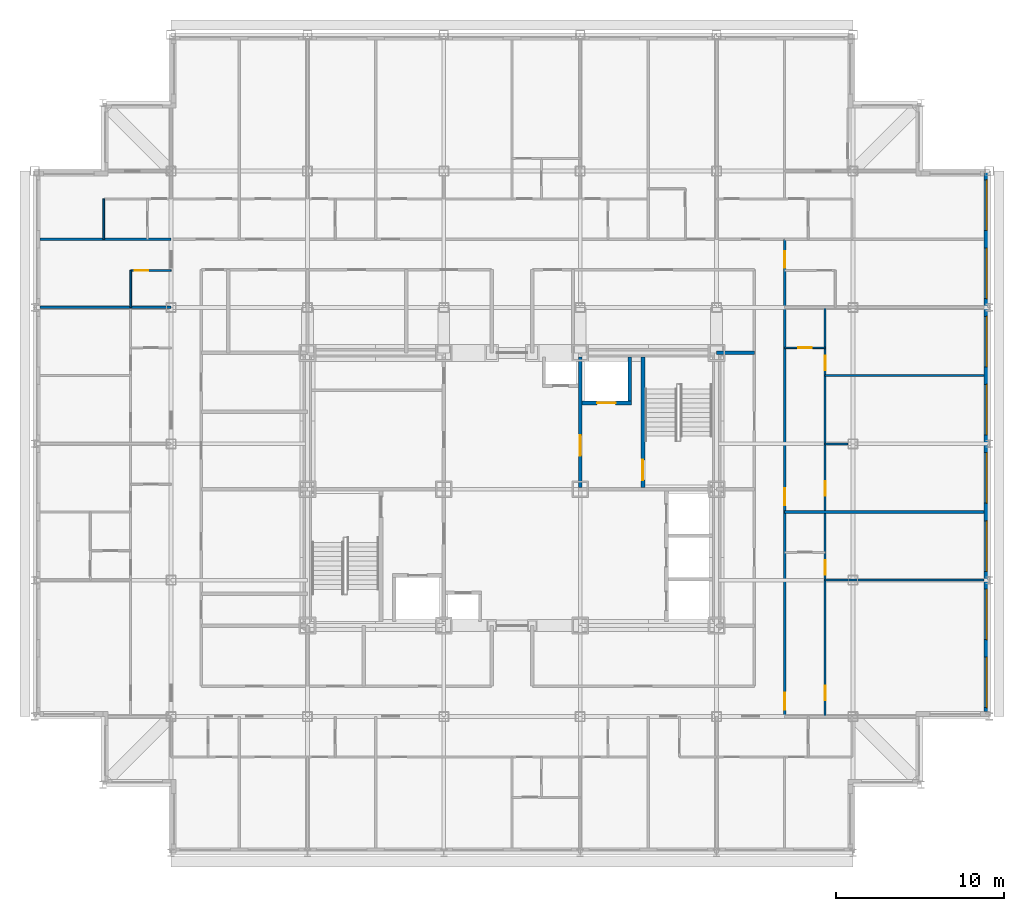
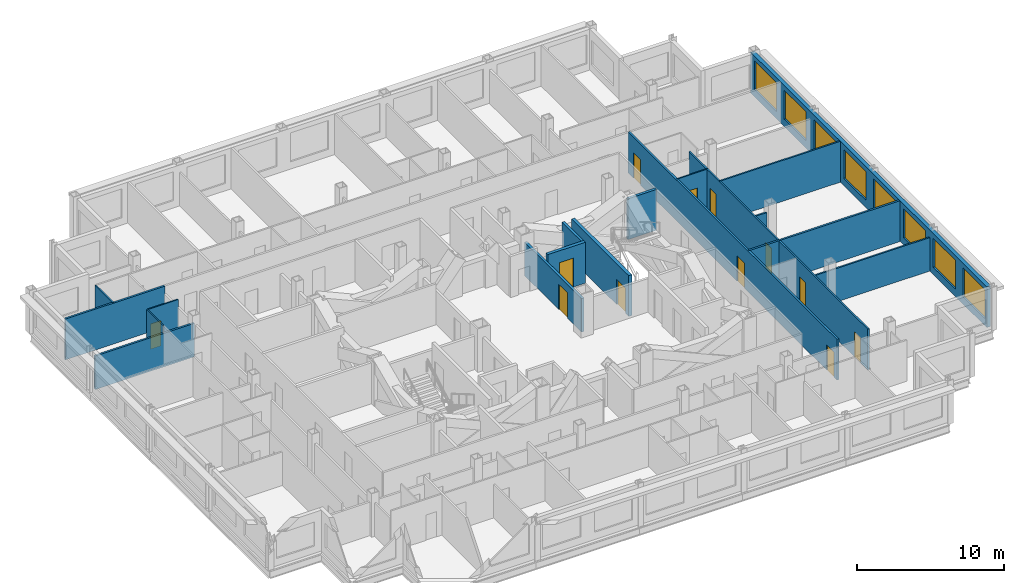
# One storey, part 8 of 12: 18 walls, 12 doors, 8 windows, 20 openings.
"""IFC4 building model written with IfcOpenShell, lengths in metres."""

from ifc_helpers import new_model, si_unit, direction, frame, frame_2d, origin, place, context, subcontext, project, spatial, rectangle, extrude, material, layer, layer_set, type_object, element, fill, save


model = new_model("IFC4")

# Units and contexts
model_context = context("Model", 3, precision=1e-05, world=origin(), true_north=direction((0.0, 1.0)))
body_context = subcontext(model_context, "Body", "Model", "MODEL_VIEW")
ifc_project = project(units=[si_unit("LENGTHUNIT", "METRE"), si_unit("AREAUNIT", "SQUARE_METRE"), si_unit("VOLUMEUNIT", "CUBIC_METRE"), si_unit("PLANEANGLEUNIT", "RADIAN"), si_unit("MASSUNIT", "GRAM", prefix="KILO")], contexts=[model_context])

# Site, building, storey
site_placement = place(None, origin())
site = spatial("IfcSite", under=ifc_project, at=site_placement, CompositionType="ELEMENT")
building_placement = place(site_placement, origin())
building = spatial("IfcBuilding", under=site, at=building_placement, Name="Kopane Lantern Tower", CompositionType="ELEMENT")
storey_placement = place(building_placement, frame((0.0, 0.0, 210.0)))
storey = spatial("IfcBuildingStorey", under=building, at=storey_placement, Name="L54", CompositionType="ELEMENT", Elevation=210.0)

# Wall, openings, doors
ifc_material_1 = material(Name="Gypsum board on steel studs", Category="steel")
ifc_layer_1 = layer(ifc_material_1, 0.1201171875)
ifc_layer_set_1 = layer_set([ifc_layer_1], Name="APARTMENT INTERNAL WALL 120")
wall_type_1 = type_object("IfcWallType", Name="APARTMENT INTERNAL WALL 120", PredefinedType="PARTITIONING", material=ifc_layer_set_1)
wall_1_placement = place(storey_placement, frame((46.949951171875, 18.89990234375, 0.0), z_axis=(0.0, 0.0, 1.0), x_axis=(0.0, 1.0, 0.0)))
wall_1 = element("IfcWall", 1, at=wall_1_placement, inside=storey, type_object=wall_type_1, Name="Apartment Internal Wall 120 L54", PredefinedType="PARTITIONING", context=body_context, shape_type="SweptSolid", body=[
    extrude(rectangle(XDim=24.300048828125, YDim=0.1201171875, at=frame_2d((12.14990234375, 0.0))), origin(), (0.0, 0.0, 1.0), 3.389892578125),
])
opening_1_placement = place(wall_1_placement, frame((0.97509765625, 0.0, 0.0)))
opening_1 = element("IfcOpeningElement", 2, at=opening_1_placement, cuts=wall_1, Name="Opening L54-055", PredefinedType="OPENING", context=body_context, shape_type="SweptSolid", body=[
    extrude(rectangle(XDim=0.85009765625, YDim=2.10009765625, at=frame_2d((0.425048828125, 1.050048828125))), frame((0.0, 0.070068359375, 0.0), z_axis=(0.0, -1.0, 0.0), x_axis=(1.0, 0.0, 0.0)), (0.0, 0.0, 1.0), 0.14013671875),
])
opening_2_placement = place(wall_1_placement, frame((8.425048828125, 0.0, 0.0)))
opening_2 = element("IfcOpeningElement", 3, at=opening_2_placement, cuts=wall_1, Name="Opening L54-056", PredefinedType="OPENING", context=body_context, shape_type="SweptSolid", body=[
    extrude(rectangle(XDim=0.85009765625, YDim=2.10009765625, at=frame_2d((0.425048828125, 1.050048828125))), frame((0.0, 0.070068359375, 0.0), z_axis=(0.0, -1.0, 0.0), x_axis=(1.0, 0.0, 0.0)), (0.0, 0.0, 1.0), 0.14013671875),
])
opening_3_placement = place(wall_1_placement, frame((13.125, 0.0, 0.0)))
opening_3 = element("IfcOpeningElement", 4, at=opening_3_placement, cuts=wall_1, Name="Opening L54-059", PredefinedType="OPENING", context=body_context, shape_type="SweptSolid", body=[
    extrude(rectangle(XDim=0.85009765625, YDim=2.10009765625, at=frame_2d((0.425048828125, 1.050048828125))), frame((0.0, 0.070068359375, 0.0), z_axis=(0.0, -1.0, 0.0), x_axis=(1.0, 0.0, 0.0)), (0.0, 0.0, 1.0), 0.14013671875),
])
opening_4_placement = place(wall_1_placement, frame((20.574951171875, 0.0, 0.0)))
opening_4 = element("IfcOpeningElement", 5, at=opening_4_placement, cuts=wall_1, Name="Opening L54-060", PredefinedType="OPENING", context=body_context, shape_type="SweptSolid", body=[
    extrude(rectangle(XDim=0.85009765625, YDim=2.10009765625, at=frame_2d((0.425048828125, 1.050048828125))), frame((0.0, 0.070068359375, 0.0), z_axis=(0.0, -1.0, 0.0), x_axis=(1.0, 0.0, 0.0)), (0.0, 0.0, 1.0), 0.14013671875),
])
ifc_material_2 = material(Name="Timber door set", Category="wood")
door_type_1 = type_object("IfcDoorType", Name="DOOR D4 850x2100", OperationType="SINGLE_SWING_LEFT", PredefinedType="DOOR", material=ifc_material_2)
door_1_placement = place(opening_1_placement, origin())
door_1 = element("IfcDoor", 6, at=door_1_placement, inside=storey, type_object=door_type_1, Name="Door L54-055", OperationType="SINGLE_SWING_LEFT", OverallHeight=2.10009765625, OverallWidth=0.85009765625, PredefinedType="DOOR", context=body_context, shape_type="SweptSolid", body=[
    extrude(rectangle(XDim=0.85009765625, YDim=2.10009765625, at=frame_2d((0.425048828125, 1.050048828125))), frame((0.0, 0.02490234375, 0.0), z_axis=(0.0, -1.0, 0.0), x_axis=(1.0, 0.0, 0.0)), (0.0, 0.0, 1.0), 0.050048828125),
])
fill(opening_1, door_1)
door_2_placement = place(opening_2_placement, origin())
door_2 = element("IfcDoor", 7, at=door_2_placement, inside=storey, type_object=door_type_1, Name="Door L54-056", OperationType="SINGLE_SWING_RIGHT", OverallHeight=2.10009765625, OverallWidth=0.85009765625, PredefinedType="DOOR", context=body_context, shape_type="SweptSolid", body=[
    extrude(rectangle(XDim=0.85009765625, YDim=2.10009765625, at=frame_2d((0.425048828125, 1.050048828125))), frame((0.0, 0.02490234375, 0.0), z_axis=(0.0, -1.0, 0.0), x_axis=(1.0, 0.0, 0.0)), (0.0, 0.0, 1.0), 0.050048828125),
])
fill(opening_2, door_2)
door_3_placement = place(opening_3_placement, origin())
door_3 = element("IfcDoor", 8, at=door_3_placement, inside=storey, type_object=door_type_1, Name="Door L54-059", OperationType="SINGLE_SWING_LEFT", OverallHeight=2.10009765625, OverallWidth=0.85009765625, PredefinedType="DOOR", context=body_context, shape_type="SweptSolid", body=[
    extrude(rectangle(XDim=0.85009765625, YDim=2.10009765625, at=frame_2d((0.425048828125, 1.050048828125))), frame((0.0, 0.02490234375, 0.0), z_axis=(0.0, -1.0, 0.0), x_axis=(1.0, 0.0, 0.0)), (0.0, 0.0, 1.0), 0.050048828125),
])
fill(opening_3, door_3)
door_4_placement = place(opening_4_placement, origin())
door_4 = element("IfcDoor", 9, at=door_4_placement, inside=storey, type_object=door_type_1, Name="Door L54-060", OperationType="SINGLE_SWING_RIGHT", OverallHeight=2.10009765625, OverallWidth=0.85009765625, PredefinedType="DOOR", context=body_context, shape_type="SweptSolid", body=[
    extrude(rectangle(XDim=0.85009765625, YDim=2.10009765625, at=frame_2d((0.425048828125, 1.050048828125))), frame((0.0, 0.02490234375, 0.0), z_axis=(0.0, -1.0, 0.0), x_axis=(1.0, 0.0, 0.0)), (0.0, 0.0, 1.0), 0.050048828125),
])
fill(opening_4, door_4)

# Walls
wall_2_placement = place(storey_placement, frame((46.949951171875, 27.0, 0.0), z_axis=(0.0, 0.0, 1.0), x_axis=(1.0, 0.0, 0.0)))
element("IfcWall", 10, at=wall_2_placement, inside=storey, type_object=wall_type_1, Name="Apartment Internal Wall 120 L54", PredefinedType="PARTITIONING", context=body_context, shape_type="SweptSolid", body=[
    extrude(rectangle(XDim=9.449951171875, YDim=0.1201171875, at=frame_2d((4.72509765625, 0.0))), origin(), (0.0, 0.0, 1.0), 2.77783203125),
])
wall_3_placement = place(storey_placement, frame((46.949951171875, 39.14990234375, 0.0), z_axis=(0.0, 0.0, 1.0), x_axis=(1.0, 0.0, 0.0)))
element("IfcWall", 11, at=wall_3_placement, inside=storey, type_object=wall_type_1, Name="Apartment Internal Wall 120 L54", PredefinedType="PARTITIONING", context=body_context, shape_type="SweptSolid", body=[
    extrude(rectangle(XDim=9.449951171875, YDim=0.1201171875, at=frame_2d((4.72509765625, 0.0))), origin(), (0.0, 0.0, 1.0), 3.389892578125),
])
wall_4_placement = place(storey_placement, frame((46.949951171875, 35.10009765625, 0.0), z_axis=(0.0, 0.0, 1.0), x_axis=(1.0, 0.0, 0.0)))
element("IfcWall", 12, at=wall_4_placement, inside=storey, type_object=wall_type_1, Name="Apartment Internal Wall 120 L54", PredefinedType="PARTITIONING", context=body_context, shape_type="SweptSolid", body=[
    extrude(rectangle(XDim=1.35009765625, YDim=0.1201171875, at=frame_2d((0.675048828125, 0.0))), origin(), (0.0, 0.0, 1.0), 2.77783203125),
])
ifc_material_3 = material(Name="Moisture-resistant board on steel studs", Category="steel")
ifc_layer_2 = layer(ifc_material_3, 0.10009765625)
ifc_layer_set_2 = layer_set([ifc_layer_2], Name="BATHROOM WALL 100")
wall_type_2 = type_object("IfcWallType", Name="BATHROOM WALL 100", PredefinedType="PARTITIONING", material=ifc_layer_set_2)
wall_5_placement = place(storey_placement, frame((5.699951171875, 43.199951171875, 0.0), z_axis=(0.0, 0.0, 1.0), x_axis=(0.0, 1.0, 0.0)))
element("IfcWall", 13, at=wall_5_placement, inside=storey, type_object=wall_type_2, Name="Bathroom Wall 100 L54", PredefinedType="PARTITIONING", context=body_context, shape_type="SweptSolid", body=[
    extrude(rectangle(XDim=2.199951171875, YDim=0.10009765625, at=frame_2d((1.10009765625, 0.0))), origin(), (0.0, 0.0, 1.0), 3.389892578125),
])

# Wall, opening, door
wall_6_placement = place(storey_placement, frame((8.10009765625, 45.39990234375, 0.0), z_axis=(0.0, 0.0, 1.0), x_axis=(-1.0, 0.0, 0.0)))
wall_6 = element("IfcWall", 14, at=wall_6_placement, inside=storey, type_object=wall_type_2, Name="Bathroom Wall 100 L54", PredefinedType="PARTITIONING", context=body_context, shape_type="SweptSolid", body=[
    extrude(rectangle(XDim=2.400146484375, YDim=0.10009765625, at=frame_2d((1.2001953125, 0.0))), origin(), (0.0, 0.0, 1.0), 3.389892578125),
])
opening_5_placement = place(wall_6_placement, frame((1.35009765625, 0.0, 0.0)))
opening_5 = element("IfcOpeningElement", 15, at=opening_5_placement, cuts=wall_6, Name="Opening L54-051", PredefinedType="OPENING", context=body_context, shape_type="SweptSolid", body=[
    extrude(rectangle(XDim=0.800048828125, YDim=2.10009765625, at=frame_2d((0.39990234375, 1.050048828125))), frame((0.0, 0.06005859375, 0.0), z_axis=(0.0, -1.0, 0.0), x_axis=(1.0, 0.0, 0.0)), (0.0, 0.0, 1.0), 0.1201171875),
])
ifc_material_4 = material(Name="Timber door set", Category="wood")
door_type_2 = type_object("IfcDoorType", Name="DOOR D2 800x2100", OperationType="SINGLE_SWING_LEFT", PredefinedType="DOOR", material=ifc_material_4)
door_5_placement = place(opening_5_placement, origin())
door_5 = element("IfcDoor", 16, at=door_5_placement, inside=storey, type_object=door_type_2, Name="Door L54-051", OperationType="SINGLE_SWING_RIGHT", OverallHeight=2.10009765625, OverallWidth=0.800048828125, PredefinedType="DOOR", context=body_context, shape_type="SweptSolid", body=[
    extrude(rectangle(XDim=0.800048828125, YDim=2.10009765625, at=frame_2d((0.39990234375, 1.050048828125))), frame((0.0, 0.02490234375, 0.0), z_axis=(0.0, -1.0, 0.0), x_axis=(1.0, 0.0, 0.0)), (0.0, 0.0, 1.0), 0.050048828125),
])
fill(opening_5, door_5)

wall_7_placement = place(storey_placement, frame((44.550048828125, 40.800048828125, 0.0), z_axis=(0.0, 0.0, 1.0), x_axis=(1.0, 0.0, 0.0)))
wall_7 = element("IfcWall", 17, at=wall_7_placement, inside=storey, type_object=wall_type_2, Name="Bathroom Wall 100 L54", PredefinedType="PARTITIONING", context=body_context, shape_type="SweptSolid", body=[
    extrude(rectangle(XDim=2.39990234375, YDim=0.10009765625, at=frame_2d((1.199951171875, 0.0))), origin(), (0.0, 0.0, 1.0), 3.389892578125),
])
opening_6_placement = place(wall_7_placement, frame((0.800048828125, 0.0, 0.0)))
opening_6 = element("IfcOpeningElement", 18, at=opening_6_placement, cuts=wall_7, Name="Opening L54-057", PredefinedType="OPENING", context=body_context, shape_type="SweptSolid", body=[
    extrude(rectangle(XDim=0.800048828125, YDim=2.10009765625, at=frame_2d((0.39990234375, 1.050048828125))), frame((0.0, 0.06005859375, 0.0), z_axis=(0.0, -1.0, 0.0), x_axis=(1.0, 0.0, 0.0)), (0.0, 0.0, 1.0), 0.1201171875),
])
door_6_placement = place(opening_6_placement, origin())
door_6 = element("IfcDoor", 19, at=door_6_placement, inside=storey, type_object=door_type_2, Name="Door L54-057", OperationType="SINGLE_SWING_LEFT", OverallHeight=2.10009765625, OverallWidth=0.800048828125, PredefinedType="DOOR", context=body_context, shape_type="SweptSolid", body=[
    extrude(rectangle(XDim=0.800048828125, YDim=2.10009765625, at=frame_2d((0.39990234375, 1.050048828125))), frame((0.0, 0.02490234375, 0.0), z_axis=(0.0, -1.0, 0.0), x_axis=(1.0, 0.0, 0.0)), (0.0, 0.0, 1.0), 0.050048828125),
])
fill(opening_6, door_6)

# Wall
wall_8_placement = place(storey_placement, frame((4.10009765625, 47.25, 0.0), z_axis=(0.0, 0.0, 1.0), x_axis=(0.0, 1.0, 0.0)))
element("IfcWall", 20, at=wall_8_placement, inside=storey, type_object=wall_type_2, Name="Bathroom Wall 100 L54", PredefinedType="PARTITIONING", context=body_context, shape_type="SweptSolid", body=[
    extrude(rectangle(XDim=2.39990234375, YDim=0.10009765625, at=frame_2d((1.199951171875, 0.0))), origin(), (0.0, 0.0, 1.0), 3.389892578125),
])

# Wall, opening, door
ifc_material_5 = material(Name="Gypsum shaft wall EI 120", Category="gypsum")
ifc_layer_3 = layer(ifc_material_5, 0.25)
ifc_layer_set_3 = layer_set([ifc_layer_3], Name="CORE SHAFT WALL 250 EI 120")
wall_type_3 = type_object("IfcWallType", Name="CORE SHAFT WALL 250 EI 120", PredefinedType="SOLIDWALL", material=ifc_layer_set_3)
wall_9_placement = place(storey_placement, frame((36.125, 32.5, 0.0), z_axis=(0.0, 0.0, 1.0), x_axis=(0.0, 1.0, 0.0)))
wall_9 = element("IfcWall", 21, at=wall_9_placement, inside=storey, type_object=wall_type_3, Name="Core shaft wall L54 XST2", PredefinedType="SOLIDWALL", context=body_context, shape_type="SweptSolid", body=[
    extrude(rectangle(XDim=7.75, YDim=0.25, at=frame_2d((3.875, 0.0))), origin(), (0.0, 0.0, 1.0), 3.389892578125),
])
opening_7_placement = place(wall_9_placement, frame((0.449951171875, 0.0, 0.0)))
opening_7 = element("IfcOpeningElement", 22, at=opening_7_placement, cuts=wall_9, Name="Opening 54.SD2", PredefinedType="OPENING", context=body_context, shape_type="SweptSolid", body=[
    extrude(rectangle(XDim=1.199951171875, YDim=2.10009765625, at=frame_2d((0.60009765625, 1.050048828125))), frame((0.0, 0.135009765625, 0.0), z_axis=(0.0, -1.0, 0.0), x_axis=(1.0, 0.0, 0.0)), (0.0, 0.0, 1.0), 0.27001953125),
])
ifc_material_6 = material(Name="Steel door set", Category="steel")
door_type_3 = type_object("IfcDoorType", Name="STAIR DOOR 1200x2100 FD60S", OperationType="SINGLE_SWING_LEFT", PredefinedType="DOOR", material=ifc_material_6)
door_7_placement = place(opening_7_placement, origin())
door_7 = element("IfcDoor", 23, at=door_7_placement, inside=storey, type_object=door_type_3, Name="Stair door ST2 L54", OperationType="SINGLE_SWING_RIGHT", OverallHeight=2.10009765625, OverallWidth=1.199951171875, PredefinedType="DOOR", context=body_context, shape_type="SweptSolid", body=[
    extrude(rectangle(XDim=1.199951171875, YDim=2.10009765625, at=frame_2d((0.60009765625, 1.050048828125))), frame((0.0, 0.02490234375, 0.0), z_axis=(0.0, -1.0, 0.0), x_axis=(1.0, 0.0, 0.0)), (0.0, 0.0, 1.0), 0.050048828125),
])
fill(opening_7, door_7)

wall_10_placement = place(storey_placement, frame((32.5, 37.52490234375, 0.0), z_axis=(0.0, 0.0, 1.0), x_axis=(1.0, 0.0, 0.0)))
wall_10 = element("IfcWall", 24, at=wall_10_placement, inside=storey, type_object=wall_type_3, Name="Core shaft wall L54 YLF2", PredefinedType="SOLIDWALL", context=body_context, shape_type="SweptSolid", body=[
    extrude(rectangle(XDim=2.949951171875, YDim=0.25, at=frame_2d((1.47509765625, 0.0))), origin(), (0.0, 0.0, 1.0), 3.389892578125),
])
opening_8_placement = place(wall_10_placement, frame((0.89990234375, 0.0, 0.0)))
opening_8 = element("IfcOpeningElement", 25, at=opening_8_placement, cuts=wall_10, Name="Opening 54.LD-LF2", PredefinedType="OPENING", context=body_context, shape_type="SweptSolid", body=[
    extrude(rectangle(XDim=1.10009765625, YDim=2.39990234375, at=frame_2d((0.550048828125, 1.199951171875))), frame((0.0, 0.135009765625, 0.0), z_axis=(0.0, -1.0, 0.0), x_axis=(1.0, 0.0, 0.0)), (0.0, 0.0, 1.0), 0.27001953125),
])
ifc_material_7 = material(Name="Steel door set", Category="steel")
door_type_4 = type_object("IfcDoorType", Name="LIFT LANDING DOOR 1100x2400 FD60", OperationType="DOUBLE_DOOR_SLIDING", PredefinedType="DOOR", material=ifc_material_7)
door_8_placement = place(opening_8_placement, origin())
door_8 = element("IfcDoor", 26, at=door_8_placement, inside=storey, type_object=door_type_4, Name="Landing door LF2 L54", OperationType="DOUBLE_DOOR_SLIDING", OverallHeight=2.39990234375, OverallWidth=1.10009765625, PredefinedType="DOOR", context=body_context, shape_type="SweptSolid", body=[
    extrude(rectangle(XDim=1.10009765625, YDim=2.39990234375, at=frame_2d((0.550048828125, 1.199951171875))), frame((0.0, 0.02490234375, 0.0), z_axis=(0.0, -1.0, 0.0), x_axis=(1.0, 0.0, 0.0)), (0.0, 0.0, 1.0), 0.050048828125),
])
fill(opening_8, door_8)

# Wall, openings, doors
ifc_material_8 = material(Name="Gypsum board on steel studs", Category="steel")
ifc_layer_4 = layer(ifc_material_8, 0.14990234375)
ifc_layer_set_4 = layer_set([ifc_layer_4], Name="CORRIDOR WALL 150 EI 60")
wall_type_4 = type_object("IfcWallType", Name="CORRIDOR WALL 150 EI 60", PredefinedType="PARTITIONING", material=ifc_layer_set_4)
wall_11_placement = place(storey_placement, frame((44.550048828125, 18.89990234375, 0.0), z_axis=(0.0, 0.0, 1.0), x_axis=(0.0, 1.0, 0.0)))
wall_11 = element("IfcWall", 27, at=wall_11_placement, inside=storey, type_object=wall_type_4, Name="Corridor Wall 150 Ei 60 L54", PredefinedType="PARTITIONING", context=body_context, shape_type="SweptSolid", body=[
    extrude(rectangle(XDim=28.35009765625, YDim=0.14990234375, at=frame_2d((14.175048828125, 0.0))), origin(), (0.0, 0.0, 1.0), 3.389892578125),
])
opening_9_placement = place(wall_11_placement, frame((0.39990234375, 0.0, 0.0)))
opening_9 = element("IfcOpeningElement", 28, at=opening_9_placement, cuts=wall_11, Name="Opening L54-054", PredefinedType="OPENING", context=body_context, shape_type="SweptSolid", body=[
    extrude(rectangle(XDim=1.0, YDim=2.10009765625, at=frame_2d((0.5, 1.050048828125))), frame((0.0, 0.0849609375, 0.0), z_axis=(0.0, -1.0, 0.0), x_axis=(1.0, 0.0, 0.0)), (0.0, 0.0, 1.0), 0.169921875),
])
opening_10_placement = place(wall_11_placement, frame((12.550048828125, 0.0, 0.0)))
opening_10 = element("IfcOpeningElement", 29, at=opening_10_placement, cuts=wall_11, Name="Opening L54-058", PredefinedType="OPENING", context=body_context, shape_type="SweptSolid", body=[
    extrude(rectangle(XDim=1.0, YDim=2.10009765625, at=frame_2d((0.5, 1.050048828125))), frame((0.0, 0.0849609375, 0.0), z_axis=(0.0, -1.0, 0.0), x_axis=(1.0, 0.0, 0.0)), (0.0, 0.0, 1.0), 0.169921875),
])
opening_11_placement = place(wall_11_placement, frame((26.64990234375, 0.0, 0.0)))
opening_11 = element("IfcOpeningElement", 30, at=opening_11_placement, cuts=wall_11, Name="Opening L54-062", PredefinedType="OPENING", context=body_context, shape_type="SweptSolid", body=[
    extrude(rectangle(XDim=1.0, YDim=2.10009765625, at=frame_2d((0.5, 1.050048828125))), frame((0.0, 0.0849609375, 0.0), z_axis=(0.0, -1.0, 0.0), x_axis=(1.0, 0.0, 0.0)), (0.0, 0.0, 1.0), 0.169921875),
])
ifc_material_9 = material(Name="Steel door set", Category="steel")
door_type_5 = type_object("IfcDoorType", Name="DOOR D3 1000x2100 FD30S", OperationType="SINGLE_SWING_LEFT", PredefinedType="DOOR", material=ifc_material_9)
door_9_placement = place(opening_9_placement, origin())
door_9 = element("IfcDoor", 31, at=door_9_placement, inside=storey, type_object=door_type_5, Name="Door L54-054", OperationType="SINGLE_SWING_RIGHT", OverallHeight=2.10009765625, OverallWidth=1.0, PredefinedType="DOOR", context=body_context, shape_type="SweptSolid", body=[
    extrude(rectangle(XDim=1.0, YDim=2.10009765625, at=frame_2d((0.5, 1.050048828125))), frame((0.0, 0.02490234375, 0.0), z_axis=(0.0, -1.0, 0.0), x_axis=(1.0, 0.0, 0.0)), (0.0, 0.0, 1.0), 0.050048828125),
])
fill(opening_9, door_9)
door_10_placement = place(opening_10_placement, origin())
door_10 = element("IfcDoor", 32, at=door_10_placement, inside=storey, type_object=door_type_5, Name="Door L54-058", OperationType="SINGLE_SWING_RIGHT", OverallHeight=2.10009765625, OverallWidth=1.0, PredefinedType="DOOR", context=body_context, shape_type="SweptSolid", body=[
    extrude(rectangle(XDim=1.0, YDim=2.10009765625, at=frame_2d((0.5, 1.050048828125))), frame((0.0, 0.02490234375, 0.0), z_axis=(0.0, -1.0, 0.0), x_axis=(1.0, 0.0, 0.0)), (0.0, 0.0, 1.0), 0.050048828125),
])
fill(opening_10, door_10)
door_11_placement = place(opening_11_placement, origin())
door_11 = element("IfcDoor", 33, at=door_11_placement, inside=storey, type_object=door_type_5, Name="Door L54-062", OperationType="SINGLE_SWING_RIGHT", OverallHeight=2.10009765625, OverallWidth=1.0, PredefinedType="DOOR", context=body_context, shape_type="SweptSolid", body=[
    extrude(rectangle(XDim=1.0, YDim=2.10009765625, at=frame_2d((0.5, 1.050048828125))), frame((0.0, 0.02490234375, 0.0), z_axis=(0.0, -1.0, 0.0), x_axis=(1.0, 0.0, 0.0)), (0.0, 0.0, 1.0), 0.050048828125),
])
fill(opening_11, door_11)

# Walls
ifc_material_10 = material(Name="Gypsum board on steel studs", Category="steel")
ifc_layer_5 = layer(ifc_material_10, 0.14990234375)
ifc_layer_set_5 = layer_set([ifc_layer_5], Name="DEMISING WALL 150 EI 60")
wall_type_5 = type_object("IfcWallType", Name="DEMISING WALL 150 EI 60", PredefinedType="PARTITIONING", material=ifc_layer_set_5)
wall_12_placement = place(storey_placement, frame((8.10009765625, 43.199951171875, 0.0), z_axis=(0.0, 0.0, 1.0), x_axis=(-1.0, 0.0, 0.0)))
element("IfcWall", 34, at=wall_12_placement, inside=storey, type_object=wall_type_5, Name="Demising Wall 150 Ei 60 L54", PredefinedType="PARTITIONING", context=body_context, shape_type="SweptSolid", body=[
    extrude(rectangle(XDim=7.800048828125, YDim=0.14990234375, at=frame_2d((3.89990234375, 0.0))), origin(), (0.0, 0.0, 1.0), 2.77783203125),
])
wall_13_placement = place(storey_placement, frame((44.550048828125, 31.050048828125, 0.0), z_axis=(0.0, 0.0, 1.0), x_axis=(1.0, 0.0, 0.0)))
element("IfcWall", 35, at=wall_13_placement, inside=storey, type_object=wall_type_5, Name="Demising Wall 150 Ei 60 L54", PredefinedType="PARTITIONING", context=body_context, shape_type="SweptSolid", body=[
    extrude(rectangle(XDim=11.849853515625, YDim=0.14990234375, at=frame_2d((5.9248046875, 0.0))), origin(), (0.0, 0.0, 1.0), 3.389892578125),
])
wall_14_placement = place(storey_placement, frame((0.300048828125, 47.25, 0.0), z_axis=(0.0, 0.0, 1.0), x_axis=(1.0, 0.0, 0.0)))
element("IfcWall", 36, at=wall_14_placement, inside=storey, type_object=wall_type_5, Name="Demising Wall 150 Ei 60 L54", PredefinedType="PARTITIONING", context=body_context, shape_type="SweptSolid", body=[
    extrude(rectangle(XDim=7.800048828125, YDim=0.14990234375, at=frame_2d((3.89990234375, 0.0))), origin(), (0.0, 0.0, 1.0), 3.389892578125),
])

# Wall, openings, windows
ifc_material_11 = material(Name="Terracotta rainscreen on light steel framing", Category="masonry")
ifc_layer_6 = layer(ifc_material_11, 0.300048828125)
ifc_layer_set_6 = layer_set([ifc_layer_6], Name="EXTERNAL WALL EW1 300 TERRACOTTA")
wall_type_6 = type_object("IfcWallType", Name="EXTERNAL WALL EW1 300 TERRACOTTA", PredefinedType="SOLIDWALL", material=ifc_layer_set_6)
wall_15_placement = place(storey_placement, frame((56.550048828125, 19.199951171875, 0.0), z_axis=(0.0, 0.0, 1.0), x_axis=(0.0, 1.0, 0.0)))
wall_15 = element("IfcWall", 37, at=wall_15_placement, inside=storey, type_object=wall_type_6, Name="External wall E L54", PredefinedType="SOLIDWALL", context=body_context, shape_type="SweptSolid", body=[
    extrude(rectangle(XDim=32.10009765625, YDim=0.300048828125, at=frame_2d((16.050048828125, 0.0))), origin(), (0.0, 0.0, 1.0), 3.389892578125),
])
opening_12_placement = place(wall_15_placement, frame((0.22509765625, 0.0, 0.60009765625)))
opening_12 = element("IfcOpeningElement", 38, at=opening_12_placement, cuts=wall_15, Name="Opening WR300240", PredefinedType="OPENING", context=body_context, shape_type="SweptSolid", body=[
    extrude(rectangle(XDim=3.0, YDim=2.39990234375, at=frame_2d((1.5, 1.199951171875))), frame((0.0, 0.159912109375, 0.0), z_axis=(0.0, -1.0, 0.0), x_axis=(1.0, 0.0, 0.0)), (0.0, 0.0, 1.0), 0.320068359375),
])
opening_13_placement = place(wall_15_placement, frame((4.27490234375, 0.0, 0.60009765625)))
opening_13 = element("IfcOpeningElement", 39, at=opening_13_placement, cuts=wall_15, Name="Opening WR300240", PredefinedType="OPENING", context=body_context, shape_type="SweptSolid", body=[
    extrude(rectangle(XDim=3.0, YDim=2.39990234375, at=frame_2d((1.5, 1.199951171875))), frame((0.0, 0.159912109375, 0.0), z_axis=(0.0, -1.0, 0.0), x_axis=(1.0, 0.0, 0.0)), (0.0, 0.0, 1.0), 0.320068359375),
])
opening_14_placement = place(wall_15_placement, frame((8.324951171875, 0.0, 0.60009765625)))
opening_14 = element("IfcOpeningElement", 40, at=opening_14_placement, cuts=wall_15, Name="Opening WR300240", PredefinedType="OPENING", context=body_context, shape_type="SweptSolid", body=[
    extrude(rectangle(XDim=3.0, YDim=2.39990234375, at=frame_2d((1.5, 1.199951171875))), frame((0.0, 0.159912109375, 0.0), z_axis=(0.0, -1.0, 0.0), x_axis=(1.0, 0.0, 0.0)), (0.0, 0.0, 1.0), 0.320068359375),
])
opening_15_placement = place(wall_15_placement, frame((12.375, 0.0, 0.60009765625)))
opening_15 = element("IfcOpeningElement", 41, at=opening_15_placement, cuts=wall_15, Name="Opening WR300240", PredefinedType="OPENING", context=body_context, shape_type="SweptSolid", body=[
    extrude(rectangle(XDim=3.0, YDim=2.39990234375, at=frame_2d((1.5, 1.199951171875))), frame((0.0, 0.159912109375, 0.0), z_axis=(0.0, -1.0, 0.0), x_axis=(1.0, 0.0, 0.0)), (0.0, 0.0, 1.0), 0.320068359375),
])
opening_16_placement = place(wall_15_placement, frame((16.425048828125, 0.0, 0.60009765625)))
opening_16 = element("IfcOpeningElement", 42, at=opening_16_placement, cuts=wall_15, Name="Opening WR300240", PredefinedType="OPENING", context=body_context, shape_type="SweptSolid", body=[
    extrude(rectangle(XDim=3.0, YDim=2.39990234375, at=frame_2d((1.5, 1.199951171875))), frame((0.0, 0.159912109375, 0.0), z_axis=(0.0, -1.0, 0.0), x_axis=(1.0, 0.0, 0.0)), (0.0, 0.0, 1.0), 0.320068359375),
])
opening_17_placement = place(wall_15_placement, frame((20.47509765625, 0.0, 0.60009765625)))
opening_17 = element("IfcOpeningElement", 43, at=opening_17_placement, cuts=wall_15, Name="Opening WR300240", PredefinedType="OPENING", context=body_context, shape_type="SweptSolid", body=[
    extrude(rectangle(XDim=3.0, YDim=2.39990234375, at=frame_2d((1.5, 1.199951171875))), frame((0.0, 0.159912109375, 0.0), z_axis=(0.0, -1.0, 0.0), x_axis=(1.0, 0.0, 0.0)), (0.0, 0.0, 1.0), 0.320068359375),
])
opening_18_placement = place(wall_15_placement, frame((24.52490234375, 0.0, 0.60009765625)))
opening_18 = element("IfcOpeningElement", 44, at=opening_18_placement, cuts=wall_15, Name="Opening WR300240", PredefinedType="OPENING", context=body_context, shape_type="SweptSolid", body=[
    extrude(rectangle(XDim=3.0, YDim=2.39990234375, at=frame_2d((1.5, 1.199951171875))), frame((0.0, 0.159912109375, 0.0), z_axis=(0.0, -1.0, 0.0), x_axis=(1.0, 0.0, 0.0)), (0.0, 0.0, 1.0), 0.320068359375),
])
opening_19_placement = place(wall_15_placement, frame((28.574951171875, 0.0, 0.60009765625)))
opening_19 = element("IfcOpeningElement", 45, at=opening_19_placement, cuts=wall_15, Name="Opening WR300240", PredefinedType="OPENING", context=body_context, shape_type="SweptSolid", body=[
    extrude(rectangle(XDim=3.0, YDim=2.39990234375, at=frame_2d((1.5, 1.199951171875))), frame((0.0, 0.159912109375, 0.0), z_axis=(0.0, -1.0, 0.0), x_axis=(1.0, 0.0, 0.0)), (0.0, 0.0, 1.0), 0.320068359375),
])
ifc_material_12 = material(Name="Aluminium and clear glass", Category="aluminium")
window_type = type_object("IfcWindowType", Name="RIBBON WINDOW WR300240 3000x2400", PartitioningType="SINGLE_PANEL", PredefinedType="WINDOW", material=ifc_material_12)
window_1_placement = place(opening_12_placement, origin())
window_1 = element("IfcWindow", 46, at=window_1_placement, inside=storey, type_object=window_type, Name="Window E L54", OverallHeight=2.39990234375, OverallWidth=3.0, PartitioningType="SINGLE_PANEL", PredefinedType="WINDOW", context=body_context, shape_type="SweptSolid", body=[
    extrude(rectangle(XDim=3.0, YDim=2.39990234375, at=frame_2d((1.5, 1.199951171875))), frame((0.0, 0.030029296875, 0.0), z_axis=(0.0, -1.0, 0.0), x_axis=(1.0, 0.0, 0.0)), (0.0, 0.0, 1.0), 0.06005859375),
])
fill(opening_12, window_1)
window_2_placement = place(opening_13_placement, origin())
window_2 = element("IfcWindow", 47, at=window_2_placement, inside=storey, type_object=window_type, Name="Window E L54", OverallHeight=2.39990234375, OverallWidth=3.0, PartitioningType="SINGLE_PANEL", PredefinedType="WINDOW", context=body_context, shape_type="SweptSolid", body=[
    extrude(rectangle(XDim=3.0, YDim=2.39990234375, at=frame_2d((1.5, 1.199951171875))), frame((0.0, 0.030029296875, 0.0), z_axis=(0.0, -1.0, 0.0), x_axis=(1.0, 0.0, 0.0)), (0.0, 0.0, 1.0), 0.06005859375),
])
fill(opening_13, window_2)
window_3_placement = place(opening_14_placement, origin())
window_3 = element("IfcWindow", 48, at=window_3_placement, inside=storey, type_object=window_type, Name="Window E L54", OverallHeight=2.39990234375, OverallWidth=3.0, PartitioningType="SINGLE_PANEL", PredefinedType="WINDOW", context=body_context, shape_type="SweptSolid", body=[
    extrude(rectangle(XDim=3.0, YDim=2.39990234375, at=frame_2d((1.5, 1.199951171875))), frame((0.0, 0.030029296875, 0.0), z_axis=(0.0, -1.0, 0.0), x_axis=(1.0, 0.0, 0.0)), (0.0, 0.0, 1.0), 0.06005859375),
])
fill(opening_14, window_3)
window_4_placement = place(opening_15_placement, origin())
window_4 = element("IfcWindow", 49, at=window_4_placement, inside=storey, type_object=window_type, Name="Window E L54", OverallHeight=2.39990234375, OverallWidth=3.0, PartitioningType="SINGLE_PANEL", PredefinedType="WINDOW", context=body_context, shape_type="SweptSolid", body=[
    extrude(rectangle(XDim=3.0, YDim=2.39990234375, at=frame_2d((1.5, 1.199951171875))), frame((0.0, 0.030029296875, 0.0), z_axis=(0.0, -1.0, 0.0), x_axis=(1.0, 0.0, 0.0)), (0.0, 0.0, 1.0), 0.06005859375),
])
fill(opening_15, window_4)
window_5_placement = place(opening_16_placement, origin())
window_5 = element("IfcWindow", 50, at=window_5_placement, inside=storey, type_object=window_type, Name="Window E L54", OverallHeight=2.39990234375, OverallWidth=3.0, PartitioningType="SINGLE_PANEL", PredefinedType="WINDOW", context=body_context, shape_type="SweptSolid", body=[
    extrude(rectangle(XDim=3.0, YDim=2.39990234375, at=frame_2d((1.5, 1.199951171875))), frame((0.0, 0.030029296875, 0.0), z_axis=(0.0, -1.0, 0.0), x_axis=(1.0, 0.0, 0.0)), (0.0, 0.0, 1.0), 0.06005859375),
])
fill(opening_16, window_5)
window_6_placement = place(opening_17_placement, origin())
window_6 = element("IfcWindow", 51, at=window_6_placement, inside=storey, type_object=window_type, Name="Window E L54", OverallHeight=2.39990234375, OverallWidth=3.0, PartitioningType="SINGLE_PANEL", PredefinedType="WINDOW", context=body_context, shape_type="SweptSolid", body=[
    extrude(rectangle(XDim=3.0, YDim=2.39990234375, at=frame_2d((1.5, 1.199951171875))), frame((0.0, 0.030029296875, 0.0), z_axis=(0.0, -1.0, 0.0), x_axis=(1.0, 0.0, 0.0)), (0.0, 0.0, 1.0), 0.06005859375),
])
fill(opening_17, window_6)
window_7_placement = place(opening_18_placement, origin())
window_7 = element("IfcWindow", 52, at=window_7_placement, inside=storey, type_object=window_type, Name="Window E L54", OverallHeight=2.39990234375, OverallWidth=3.0, PartitioningType="SINGLE_PANEL", PredefinedType="WINDOW", context=body_context, shape_type="SweptSolid", body=[
    extrude(rectangle(XDim=3.0, YDim=2.39990234375, at=frame_2d((1.5, 1.199951171875))), frame((0.0, 0.030029296875, 0.0), z_axis=(0.0, -1.0, 0.0), x_axis=(1.0, 0.0, 0.0)), (0.0, 0.0, 1.0), 0.06005859375),
])
fill(opening_18, window_7)
window_8_placement = place(opening_19_placement, origin())
window_8 = element("IfcWindow", 53, at=window_8_placement, inside=storey, type_object=window_type, Name="Window E L54", OverallHeight=2.39990234375, OverallWidth=3.0, PartitioningType="SINGLE_PANEL", PredefinedType="WINDOW", context=body_context, shape_type="SweptSolid", body=[
    extrude(rectangle(XDim=3.0, YDim=2.39990234375, at=frame_2d((1.5, 1.199951171875))), frame((0.0, 0.030029296875, 0.0), z_axis=(0.0, -1.0, 0.0), x_axis=(1.0, 0.0, 0.0)), (0.0, 0.0, 1.0), 0.06005859375),
])
fill(opening_19, window_8)

# Wall
ifc_material_13 = material(Name="Concrete masonry", Category="masonry")
ifc_layer_7 = layer(ifc_material_13, 0.199951171875)
ifc_layer_set_7 = layer_set([ifc_layer_7], Name="PLANT ROOM WALL 200 EI 120")
wall_type_7 = type_object("IfcWallType", Name="PLANT ROOM WALL 200 EI 120", PredefinedType="SOLIDWALL", material=ifc_layer_set_7)
wall_16_placement = place(storey_placement, frame((40.5, 40.5, 0.0), z_axis=(0.0, 0.0, 1.0), x_axis=(1.0, 0.0, 0.0)))
element("IfcWall", 54, at=wall_16_placement, inside=storey, type_object=wall_type_7, Name="Plant Room Wall 200 Ei 120 L54", PredefinedType="SOLIDWALL", context=body_context, shape_type="SweptSolid", body=[
    extrude(rectangle(XDim=2.25, YDim=0.199951171875, at=frame_2d((1.125, 0.0))), origin(), (0.0, 0.0, 1.0), 3.389892578125),
])

# Wall, opening, door
ifc_material_14 = material(Name="Gypsum shaft wall EI 120", Category="gypsum")
ifc_layer_8 = layer(ifc_material_14, 0.199951171875)
ifc_layer_set_8 = layer_set([ifc_layer_8], Name="SHAFT WALL 200 EI 120")
wall_type_8 = type_object("IfcWallType", Name="SHAFT WALL 200 EI 120", PredefinedType="SOLIDWALL", material=ifc_layer_set_8)
wall_17_placement = place(storey_placement, frame((32.39990234375, 32.5, 0.0), z_axis=(0.0, 0.0, 1.0), x_axis=(0.0, 1.0, 0.0)))
wall_17 = element("IfcWall", 55, at=wall_17_placement, inside=storey, type_object=wall_type_8, Name="Core shaft wall L54 X324", PredefinedType="SOLIDWALL", context=body_context, shape_type="SweptSolid", body=[
    extrude(rectangle(XDim=7.75, YDim=0.199951171875, at=frame_2d((3.875, 0.0))), origin(), (0.0, 0.0, 1.0), 2.77783203125),
])
opening_20_placement = place(wall_17_placement, frame((1.89990234375, 0.0, 0.0)))
opening_20 = element("IfcOpeningElement", 56, at=opening_20_placement, cuts=wall_17, Name="Opening 54.FL2", PredefinedType="OPENING", context=body_context, shape_type="SweptSolid", body=[
    extrude(rectangle(XDim=1.199951171875, YDim=2.10009765625, at=frame_2d((0.60009765625, 1.050048828125))), frame((0.0, 0.10986328125, 0.0), z_axis=(0.0, -1.0, 0.0), x_axis=(1.0, 0.0, 0.0)), (0.0, 0.0, 1.0), 0.219970703125),
])
ifc_material_15 = material(Name="Steel door set", Category="steel")
door_type_6 = type_object("IfcDoorType", Name="FIREFIGHTING LOBBY DOOR 1200x2100 FD60S", OperationType="SINGLE_SWING_RIGHT", PredefinedType="DOOR", material=ifc_material_15)
door_12_placement = place(opening_20_placement, origin())
door_12 = element("IfcDoor", 57, at=door_12_placement, inside=storey, type_object=door_type_6, Name="Firefighting lobby door FL2 L54", OperationType="SINGLE_SWING_LEFT", OverallHeight=2.10009765625, OverallWidth=1.199951171875, PredefinedType="DOOR", context=body_context, shape_type="SweptSolid", body=[
    extrude(rectangle(XDim=1.199951171875, YDim=2.10009765625, at=frame_2d((0.60009765625, 1.050048828125))), frame((0.0, 0.02490234375, 0.0), z_axis=(0.0, -1.0, 0.0), x_axis=(1.0, 0.0, 0.0)), (0.0, 0.0, 1.0), 0.050048828125),
])
fill(opening_20, door_12)

# Wall
wall_18_placement = place(storey_placement, frame((35.35009765625, 37.64990234375, 0.0), z_axis=(0.0, 0.0, 1.0), x_axis=(0.0, 1.0, 0.0)))
element("IfcWall", 58, at=wall_18_placement, inside=storey, type_object=wall_type_8, Name="Core shaft wall L54 XLF2", PredefinedType="SOLIDWALL", context=body_context, shape_type="SweptSolid", body=[
    extrude(rectangle(XDim=2.60009765625, YDim=0.199951171875, at=frame_2d((1.300048828125, 0.0))), origin(), (0.0, 0.0, 1.0), 3.389892578125),
])

save(model, "model.ifc")
